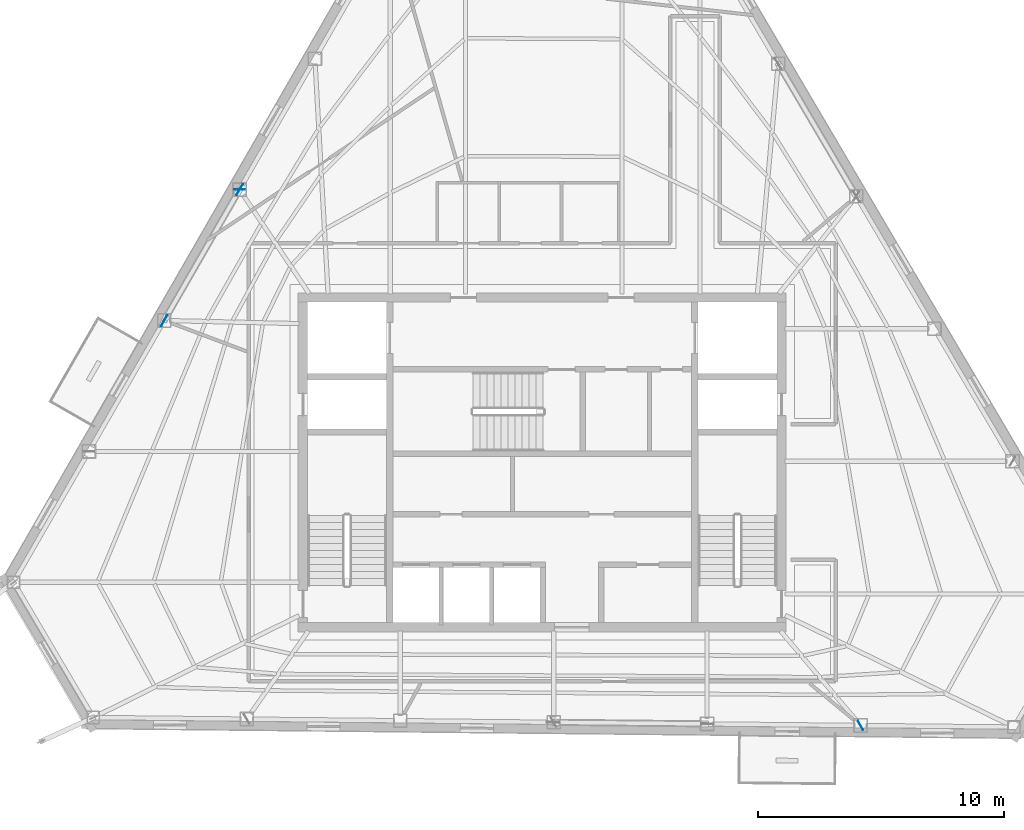
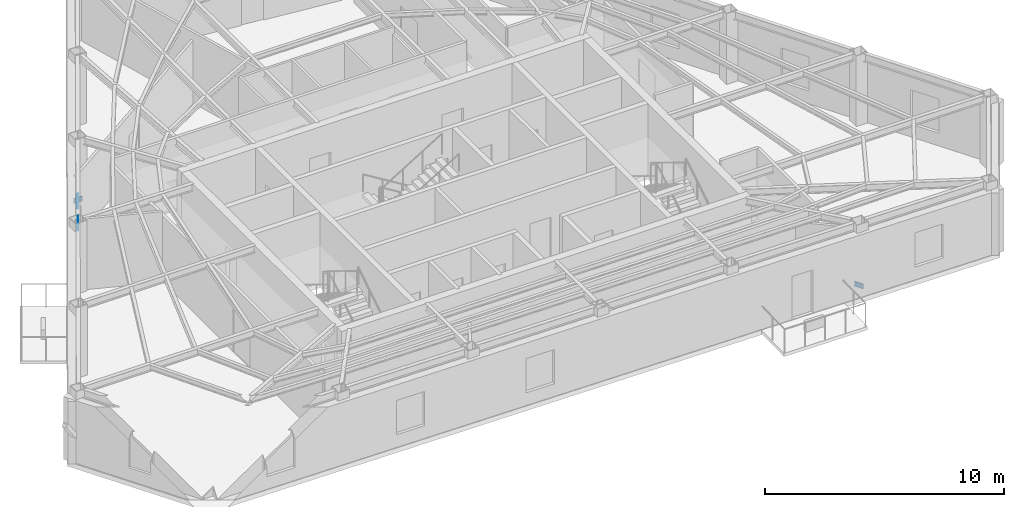
# One storey, part 5 of 11: 4 plates.
"""IFC4 building model written with IfcOpenShell, lengths in metres."""

from ifc_helpers import new_model, si_unit, direction, frame, origin, origin_2d, place, context, subcontext, project, spatial, rectangle, extrude, material, layer, layer_set, type_object, element, save


model = new_model("IFC4")

# Units and contexts
model_context = context("Model", 3, precision=1e-05, world=origin(), true_north=direction((0.0, 1.0)))
body_context = subcontext(model_context, "Body", "Model", "MODEL_VIEW")
ifc_project = project(units=[si_unit("LENGTHUNIT", "METRE"), si_unit("AREAUNIT", "SQUARE_METRE"), si_unit("VOLUMEUNIT", "CUBIC_METRE"), si_unit("PLANEANGLEUNIT", "RADIAN"), si_unit("MASSUNIT", "GRAM", prefix="KILO")], contexts=[model_context])

# Site, building, storey
site_placement = place(None, origin())
site = spatial("IfcSite", under=ifc_project, at=site_placement, CompositionType="ELEMENT")
building_placement = place(site_placement, origin())
building = spatial("IfcBuilding", under=site, at=building_placement, Name="Kavelnor Concourse Tower", CompositionType="ELEMENT")
storey_placement = place(building_placement, frame((0.0, 0.0, 262.60009765625)))
storey = spatial("IfcBuildingStorey", under=building, at=storey_placement, Name="L66", CompositionType="ELEMENT", Elevation=262.60009765625)

# Plates
ifc_material = material(Name="Steel Grade 350", Category="steel")
ifc_layer_1 = layer(ifc_material, 0.031982421875, Name="Steel Grade 350")
ifc_layer_set_1 = layer_set([ifc_layer_1], Name="Steel Grade 350")
plate_type_1 = type_object("IfcPlateType", Name="PL-GUSSET-TUBE-Z1", PredefinedType="USERDEFINED", material=ifc_layer_set_1)
for number, where, z_axis, x_axis, name in (
    (1, (25.725341796875, 27.176513671875, 0.010009765625), (0.0, 0.0, 1.0), (-0.498639034186, -0.866809733209, 0.0), "L66 Tube Brace Gusset GP3 F0-B3 End Gusset A"),
    (2, (22.657470703125, 21.844482421875, 3.197021484375), (0.0, 0.0, 1.0), (-0.498639034186, -0.866809733209, 0.0), "L66 Tube Brace Gusset GP3 F0-B3 End Gusset B"),
):
    element("IfcPlate", number, at=place(storey_placement, frame(where, z_axis=z_axis, x_axis=x_axis)), inside=storey, type_object=plate_type_1, Name=name, ObjectType="GUSSET_PLATE", PredefinedType="USERDEFINED", context=body_context, shape_type="SweptSolid", body=[
        extrude(rectangle(XDim=0.52001953125, YDim=0.031982421875, at=origin_2d()), origin(), (0.0, 0.0, 1.0), 0.419921875),
    ])
ifc_layer_2 = layer(ifc_material, 0.02490234375, Name="Steel Grade 350")
ifc_layer_set_2 = layer_set([ifc_layer_2], Name="Steel Grade 350")
plate_type_2 = type_object("IfcPlateType", Name="PL-SPLICE-FLANGE", PredefinedType="SHEET", material=ifc_layer_set_2)
for number, where, z_axis, x_axis, name in (
    (3, (25.719482421875, 27.166015625, 0.169921875), (0.0, 0.0, 1.0), (1.0, 0.0, 0.0), "L66 Column Flange Splice Plate F0-B3"),
    (4, (50.918701171875, 5.421630859375, 0.169921875), (0.0, 0.0, 1.0), (-0.5, 0.866025403784, 0.0), "L66 Column Flange Splice Plate F1-B5"),
):
    element("IfcPlate", number, at=place(storey_placement, frame(where, z_axis=z_axis, x_axis=x_axis)), inside=storey, type_object=plate_type_2, Name=name, PredefinedType="SHEET", context=body_context, shape_type="SweptSolid", body=[
        extrude(rectangle(XDim=0.419921875, YDim=0.02490234375, at=origin_2d()), origin(), (0.0, 0.0, 1.0), 0.260009765625),
    ])

save(model, "model.ifc")
